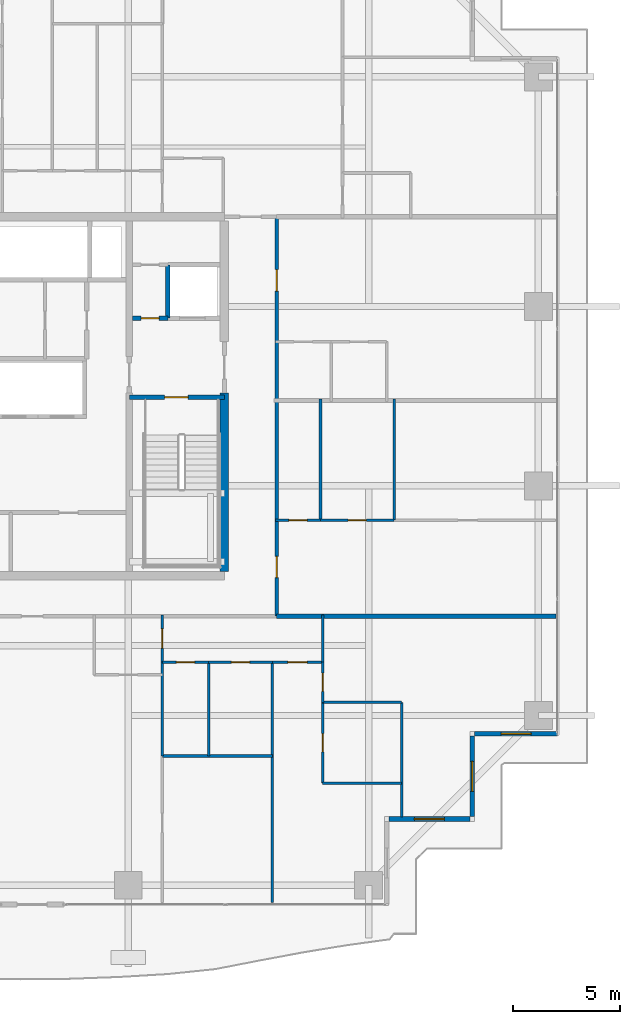
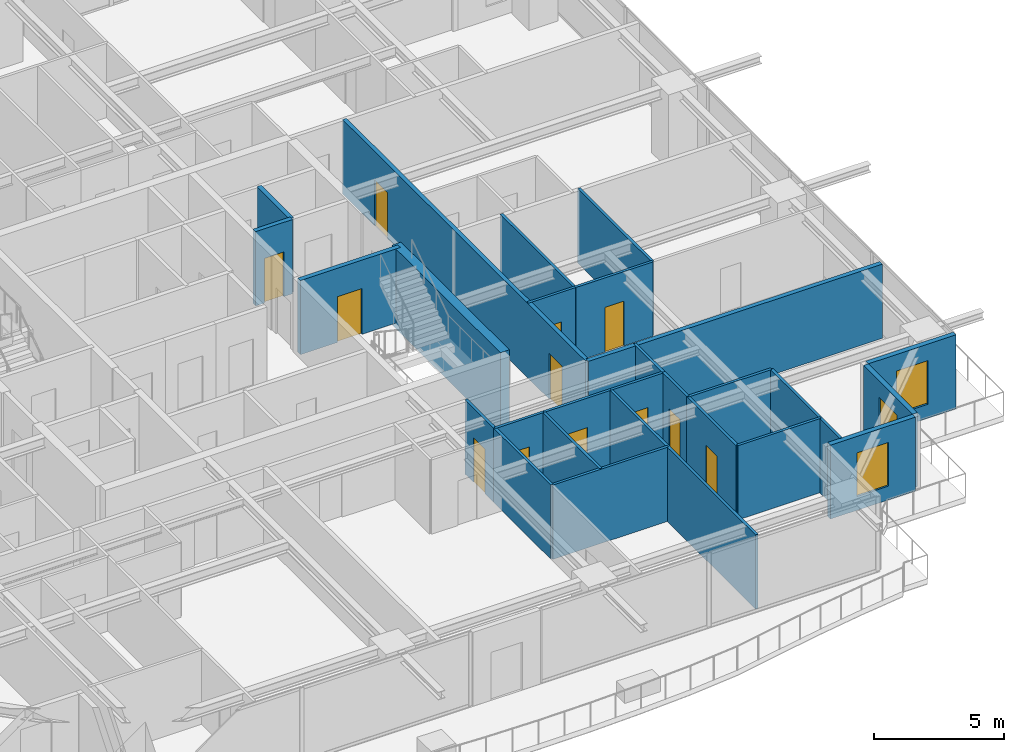
# One storey, part 26 of 34: 27 walls, 12 doors, 3 windows, 15 openings.
"""IFC4 building model written with IfcOpenShell, lengths in metres."""

from ifc_helpers import new_model, si_unit, direction, frame, frame_2d, origin, place, context, subcontext, project, spatial, rectangle, extrude, source, transform, mapped, material, layer, layer_set, type_object, element, fill, save


model = new_model("IFC4")

# Units and contexts
model_context = context("Model", 3, precision=1e-05, world=origin(), true_north=direction((0.0, 1.0)))
body_context = subcontext(model_context, "Body", "Model", "MODEL_VIEW")
ifc_project = project(units=[si_unit("LENGTHUNIT", "METRE"), si_unit("AREAUNIT", "SQUARE_METRE"), si_unit("VOLUMEUNIT", "CUBIC_METRE"), si_unit("PLANEANGLEUNIT", "RADIAN"), si_unit("MASSUNIT", "GRAM", prefix="KILO")], contexts=[model_context])

# Site, building, storey
site_placement = place(None, origin())
site = spatial("IfcSite", under=ifc_project, at=site_placement, CompositionType="ELEMENT")
building_placement = place(site_placement, origin())
building = spatial("IfcBuilding", under=site, at=building_placement, Name="Serunith Strait Residences", CompositionType="ELEMENT")
storey_placement = place(building_placement, frame((0.0, 0.0, 142.64990234375)))
storey = spatial("IfcBuildingStorey", under=building, at=storey_placement, Name="L35", CompositionType="ELEMENT", Elevation=142.64990234375)

# Wall, opening, window
ifc_material_1 = material(Name="Pale-Champagne Aluminium Insulated Panel", Category="aluminium")
ifc_layer_1 = layer(ifc_material_1, 0.219970703125, Name="Pale-Champagne Aluminium Insulated Panel")
ifc_layer_set_1 = layer_set([ifc_layer_1], Name="Pale-Champagne Aluminium Insulated Panel")
wall_type_1 = type_object("IfcWallType", Name="EW-ALUM-220", PredefinedType="ELEMENTEDWALL", material=ifc_layer_set_1)
wall_1_placement = place(storey_placement, frame((49.110107421875, 5.39990234375, 0.0), z_axis=(0.0, 0.0, 1.0), x_axis=(1.0, 0.0, 0.0)))
wall_1 = element("IfcWall", 1, at=wall_1_placement, inside=storey, type_object=wall_type_1, Name="L35 Girih Serrated Corner Wall 03", PredefinedType="ELEMENTEDWALL", context=body_context, shape_type="SweptSolid", body=[
    extrude(rectangle(XDim=3.77978515625, YDim=0.219970703125, at=frame_2d((1.889892578125, 0.0))), origin(), (0.0, 0.0, 1.0), 3.47509765625),
])
opening_1_placement = place(wall_1_placement, frame((1.18994140625, 0.0, 0.64990234375)))
opening_1 = element("IfcOpeningElement", 2, at=opening_1_placement, cuts=wall_1, Name="Opening W-03", PredefinedType="OPENING", context=body_context, shape_type="SweptSolid", body=[
    extrude(rectangle(XDim=1.39990234375, YDim=2.050048828125, at=frame_2d((0.699951171875, 1.02490234375))), frame((0.0, 0.1201171875, 0.0), z_axis=(0.0, -1.0, 0.0), x_axis=(1.0, 0.0, 0.0)), (0.0, 0.0, 1.0), 0.239990234375),
])
ifc_material_2 = material(Name="Ceramic-Fritted Operable Aluminium Window Glass", Category="aluminium")
window_type = type_object("IfcWindowType", Name="WIN-C3", PartitioningType="SINGLE_PANEL", PredefinedType="WINDOW", material=ifc_material_2)
shared_shape_1 = source(origin(), body_context, "Body", "SweptSolid", [
    extrude(rectangle(XDim=1.39990234375, YDim=2.050048828125, at=frame_2d((0.699951171875, 1.02490234375))), frame((0.0, 0.030029296875, 0.0), z_axis=(0.0, -1.0, 0.0), x_axis=(1.0, 0.0, 0.0)), (0.0, 0.0, 1.0), 0.06005859375),
])
window_1_placement = place(opening_1_placement, origin())
window_1 = element("IfcWindow", 3, at=window_1_placement, inside=storey, type_object=window_type, Name="L35 Corner Operable Fritted Window 03", OverallHeight=2.050048828125, OverallWidth=1.39990234375, PartitioningType="SINGLE_PANEL", PredefinedType="WINDOW", context=body_context, shape_type="MappedRepresentation", body=[
    mapped(shared_shape_1, transform((0.0, 0.0, 0.0), scale=1.0)),
])
fill(opening_1, window_1)

wall_2_placement = place(storey_placement, frame((53.0, 5.510009765625, 0.0), z_axis=(0.0, 0.0, 1.0), x_axis=(0.0, 1.0, 0.0)))
wall_2 = element("IfcWall", 4, at=wall_2_placement, inside=storey, type_object=wall_type_1, Name="L35 Girih Serrated Corner Wall 04", PredefinedType="ELEMENTEDWALL", context=body_context, shape_type="SweptSolid", body=[
    extrude(rectangle(XDim=3.780029296875, YDim=0.219970703125, at=frame_2d((1.89013671875, 0.0))), origin(), (0.0, 0.0, 1.0), 3.47509765625),
])
opening_2_placement = place(wall_2_placement, frame((1.18994140625, 0.0, 0.64990234375)))
opening_2 = element("IfcOpeningElement", 5, at=opening_2_placement, cuts=wall_2, Name="Opening W-03", PredefinedType="OPENING", context=body_context, shape_type="SweptSolid", body=[
    extrude(rectangle(XDim=1.39990234375, YDim=2.050048828125, at=frame_2d((0.699951171875, 1.02490234375))), frame((0.0, 0.1201171875, 0.0), z_axis=(0.0, -1.0, 0.0), x_axis=(1.0, 0.0, 0.0)), (0.0, 0.0, 1.0), 0.239990234375),
])
window_2_placement = place(opening_2_placement, origin())
window_2 = element("IfcWindow", 6, at=window_2_placement, inside=storey, type_object=window_type, Name="L35 Corner Operable Fritted Window 04", OverallHeight=2.050048828125, OverallWidth=1.39990234375, PartitioningType="SINGLE_PANEL", PredefinedType="WINDOW", context=body_context, shape_type="MappedRepresentation", body=[
    mapped(shared_shape_1, transform((0.0, 0.0, 0.0), scale=1.0)),
])
fill(opening_2, window_2)

wall_3_placement = place(storey_placement, frame((53.110107421875, 9.39990234375, 0.0), z_axis=(0.0, 0.0, 1.0), x_axis=(1.0, 0.0, 0.0)))
wall_3 = element("IfcWall", 7, at=wall_3_placement, inside=storey, type_object=wall_type_1, Name="L35 Girih Serrated Corner Wall 05", PredefinedType="ELEMENTEDWALL", context=body_context, shape_type="SweptSolid", body=[
    extrude(rectangle(XDim=3.889892578125, YDim=0.219970703125, at=frame_2d((1.94482421875, 0.0))), origin(), (0.0, 0.0, 1.0), 3.47509765625),
])
opening_3_placement = place(wall_3_placement, frame((1.2451171875, 0.0, 0.64990234375)))
opening_3 = element("IfcOpeningElement", 8, at=opening_3_placement, cuts=wall_3, Name="Opening W-03", PredefinedType="OPENING", context=body_context, shape_type="SweptSolid", body=[
    extrude(rectangle(XDim=1.39990234375, YDim=2.050048828125, at=frame_2d((0.699951171875, 1.02490234375))), frame((0.0, 0.1201171875, 0.0), z_axis=(0.0, -1.0, 0.0), x_axis=(1.0, 0.0, 0.0)), (0.0, 0.0, 1.0), 0.239990234375),
])
window_3_placement = place(opening_3_placement, origin())
window_3 = element("IfcWindow", 9, at=window_3_placement, inside=storey, type_object=window_type, Name="L35 Corner Operable Fritted Window 05", OverallHeight=2.050048828125, OverallWidth=1.39990234375, PartitioningType="SINGLE_PANEL", PredefinedType="WINDOW", context=body_context, shape_type="MappedRepresentation", body=[
    mapped(shared_shape_1, transform((0.0, 0.0, 0.0), scale=1.0)),
])
fill(opening_3, window_3)

# Wall, openings, doors
ifc_material_3 = material(Name="Fire-rated acoustic gypsum partition")
ifc_layer_2 = layer(ifc_material_3, 0.179931640625, Name="Fire-rated acoustic gypsum partition")
ifc_layer_set_2 = layer_set([ifc_layer_2], Name="Fire-rated acoustic gypsum partition")
wall_type_2 = type_object("IfcWallType", Name="IW-CORR-180", PredefinedType="PARTITIONING", material=ifc_layer_set_2)
wall_4_placement = place(storey_placement, frame((43.85009765625, 14.89990234375, 0.0), z_axis=(0.0, 0.0, 1.0), x_axis=(0.0, 1.0, 0.0)))
wall_4 = element("IfcWall", 10, at=wall_4_placement, inside=storey, type_object=wall_type_2, Name="L35 Partition Wall 027", PredefinedType="PARTITIONING", context=body_context, shape_type="SweptSolid", body=[
    extrude(rectangle(XDim=18.7001953125, YDim=0.179931640625, at=frame_2d((9.35009765625, 0.0))), origin(), (0.0, 0.0, 1.0), 3.489990234375),
])
opening_4_placement = place(wall_4_placement, frame((1.804931640625, 0.0, 0.0)))
opening_4 = element("IfcOpeningElement", 11, at=opening_4_placement, cuts=wall_4, Name="Opening D-APT1000", PredefinedType="OPENING", context=body_context, shape_type="SweptSolid", body=[
    extrude(rectangle(XDim=1.0, YDim=2.14990234375, at=frame_2d((0.5, 1.074951171875))), frame((0.0, 0.10009765625, 0.0), z_axis=(0.0, -1.0, 0.0), x_axis=(1.0, 0.0, 0.0)), (0.0, 0.0, 1.0), 0.199951171875),
])
opening_5_placement = place(wall_4_placement, frame((15.221923828125, 0.0, 0.0)))
opening_5 = element("IfcOpeningElement", 12, at=opening_5_placement, cuts=wall_4, Name="Opening D-APT1000", PredefinedType="OPENING", context=body_context, shape_type="SweptSolid", body=[
    extrude(rectangle(XDim=1.0, YDim=2.14990234375, at=frame_2d((0.5, 1.074951171875))), frame((0.0, 0.10009765625, 0.0), z_axis=(0.0, -1.0, 0.0), x_axis=(1.0, 0.0, 0.0)), (0.0, 0.0, 1.0), 0.199951171875),
])
ifc_material_4 = material(Name="Solid timber engineered fire door", Category="wood")
door_type_1 = type_object("IfcDoorType", Name="ID-APT-1000", OperationType="NOTDEFINED", PredefinedType="DOOR", material=ifc_material_4)
shared_shape_2 = source(origin(), body_context, "Body", "SweptSolid", [
    extrude(rectangle(XDim=1.0, YDim=2.14990234375, at=frame_2d((0.5, 1.074951171875))), frame((0.0, 0.02490234375, 0.0), z_axis=(0.0, -1.0, 0.0), x_axis=(1.0, 0.0, 0.0)), (0.0, 0.0, 1.0), 0.050048828125),
])
door_1_placement = place(opening_4_placement, origin())
door_1 = element("IfcDoor", 13, at=door_1_placement, inside=storey, type_object=door_type_1, Name="L35 Unit 06 Entrance Door", OperationType="SINGLE_SWING_RIGHT", OverallHeight=2.14990234375, OverallWidth=1.0, PredefinedType="DOOR", context=body_context, shape_type="MappedRepresentation", body=[
    mapped(shared_shape_2, transform((0.0, 0.0, 0.0), scale=1.0)),
])
fill(opening_4, door_1)
door_2_placement = place(opening_5_placement, origin())
door_2 = element("IfcDoor", 14, at=door_2_placement, inside=storey, type_object=door_type_1, Name="L35 Unit 07 Entrance Door", OperationType="SINGLE_SWING_LEFT", OverallHeight=2.14990234375, OverallWidth=1.0, PredefinedType="DOOR", context=body_context, shape_type="MappedRepresentation", body=[
    mapped(shared_shape_2, transform((0.0, 0.0, 0.0), scale=1.0)),
])
fill(opening_5, door_2)

# Wall, opening, door
ifc_material_5 = material(Name="Lightweight steel-stud gypsum partition", Category="steel")
ifc_layer_3 = layer(ifc_material_5, 0.1201171875, Name="Lightweight steel-stud gypsum partition")
ifc_layer_set_3 = layer_set([ifc_layer_3], Name="Lightweight steel-stud gypsum partition")
wall_type_3 = type_object("IfcWallType", Name="IW-PART-120", PredefinedType="PARTITIONING", material=ifc_layer_set_3)
wall_5_placement = place(storey_placement, frame((38.5, 12.75, 0.0), z_axis=(0.0, 0.0, 1.0), x_axis=(0.0, 1.0, 0.0)))
wall_5 = element("IfcWall", 15, at=wall_5_placement, inside=storey, type_object=wall_type_3, Name="L35 Partition Wall 048", PredefinedType="PARTITIONING", context=body_context, shape_type="SweptSolid", body=[
    extrude(rectangle(XDim=2.2099609375, YDim=0.1201171875, at=frame_2d((1.10498046875, 0.0))), origin(), (0.0, 0.0, 1.0), 3.489990234375),
])
opening_6_placement = place(wall_5_placement, frame((0.655029296875, 0.0, 0.0)))
opening_6 = element("IfcOpeningElement", 16, at=opening_6_placement, cuts=wall_5, Name="Opening D-RM900", PredefinedType="OPENING", context=body_context, shape_type="SweptSolid", body=[
    extrude(rectangle(XDim=0.89990234375, YDim=2.10009765625, at=frame_2d((0.449951171875, 1.050048828125))), frame((0.0, 0.070068359375, 0.0), z_axis=(0.0, -1.0, 0.0), x_axis=(1.0, 0.0, 0.0)), (0.0, 0.0, 1.0), 0.14013671875),
])
ifc_material_6 = material(Name="Engineered timber flush bedroom door", Category="wood")
door_type_2 = type_object("IfcDoorType", Name="ID-ROOM-900", OperationType="NOTDEFINED", PredefinedType="DOOR", material=ifc_material_6)
shared_shape_3 = source(origin(), body_context, "Body", "SweptSolid", [
    extrude(rectangle(XDim=0.89990234375, YDim=2.10009765625, at=frame_2d((0.449951171875, 1.050048828125))), frame((0.0, 0.02490234375, 0.0), z_axis=(0.0, -1.0, 0.0), x_axis=(1.0, 0.0, 0.0)), (0.0, 0.0, 1.0), 0.050048828125),
])
door_3_placement = place(opening_6_placement, origin())
door_3 = element("IfcDoor", 17, at=door_3_placement, inside=storey, type_object=door_type_2, Name="L35 Hall E 3502 Door", OperationType="SINGLE_SWING_RIGHT", OverallHeight=2.10009765625, OverallWidth=0.89990234375, PredefinedType="DOOR", context=body_context, shape_type="MappedRepresentation", body=[
    mapped(shared_shape_3, transform((0.0, 0.0, 0.0), scale=1.0)),
])
fill(opening_6, door_3)

# Walls
wall_6_placement = place(storey_placement, frame((38.5, 8.35498046875, 0.0), z_axis=(0.0, 0.0, 1.0), x_axis=(0.0, 1.0, 0.0)))
element("IfcWall", 18, at=wall_6_placement, inside=storey, type_object=wall_type_3, Name="L35 Partition Wall 050", PredefinedType="PARTITIONING", context=body_context, shape_type="SweptSolid", body=[
    extrude(rectangle(XDim=4.39306640625, YDim=0.1201171875, at=frame_2d((2.196533203125, 0.0))), origin(), (0.0, 0.0, 1.0), 3.489990234375),
])
wall_7_placement = place(storey_placement, frame((38.5, 8.35302734375, 0.0), z_axis=(0.0, 0.0, 1.0), x_axis=(1.0, 0.0, 0.0)))
element("IfcWall", 19, at=wall_7_placement, inside=storey, type_object=wall_type_3, Name="L35 Partition Wall 051", PredefinedType="PARTITIONING", context=body_context, shape_type="SweptSolid", body=[
    extrude(rectangle(XDim=5.14990234375, YDim=0.1201171875, at=frame_2d((2.574951171875, 0.0))), origin(), (0.0, 0.0, 1.0), 3.489990234375),
])
wall_8_placement = place(storey_placement, frame((43.64990234375, 1.4951171875, 0.0), z_axis=(0.0, 0.0, 1.0), x_axis=(0.0, 1.0, 0.0)))
element("IfcWall", 20, at=wall_8_placement, inside=storey, type_object=wall_type_3, Name="L35 Partition Wall 052", PredefinedType="PARTITIONING", context=body_context, shape_type="SweptSolid", body=[
    extrude(rectangle(XDim=11.2548828125, YDim=0.1201171875, at=frame_2d((5.62744140625, 0.0))), origin(), (0.0, 0.0, 1.0), 3.489990234375),
])
wall_9_placement = place(storey_placement, frame((40.6630859375, 8.35302734375, 0.0), z_axis=(0.0, 0.0, 1.0), x_axis=(0.0, 1.0, 0.0)))
element("IfcWall", 21, at=wall_9_placement, inside=storey, type_object=wall_type_3, Name="L35 Partition Wall 053", PredefinedType="PARTITIONING", context=body_context, shape_type="SweptSolid", body=[
    extrude(rectangle(XDim=4.39697265625, YDim=0.1201171875, at=frame_2d((2.198486328125, 0.0))), origin(), (0.0, 0.0, 1.0), 3.489990234375),
])

# Wall, opening, door
wall_10_placement = place(storey_placement, frame((38.5, 12.75, 0.0), z_axis=(0.0, 0.0, 1.0), x_axis=(1.0, 0.0, 0.0)))
wall_10 = element("IfcWall", 22, at=wall_10_placement, inside=storey, type_object=wall_type_3, Name="L35 Partition Wall 054", PredefinedType="PARTITIONING", context=body_context, shape_type="SweptSolid", body=[
    extrude(rectangle(XDim=2.1630859375, YDim=0.1201171875, at=frame_2d((1.08154296875, 0.0))), origin(), (0.0, 0.0, 1.0), 3.489990234375),
])
opening_7_placement = place(wall_10_placement, frame((0.656005859375, 0.0, 0.0)))
opening_7 = element("IfcOpeningElement", 23, at=opening_7_placement, cuts=wall_10, Name="Opening D-BTH850", PredefinedType="OPENING", context=body_context, shape_type="SweptSolid", body=[
    extrude(rectangle(XDim=0.85009765625, YDim=2.10009765625, at=frame_2d((0.425048828125, 1.050048828125))), frame((0.0, 0.070068359375, 0.0), z_axis=(0.0, -1.0, 0.0), x_axis=(1.0, 0.0, 0.0)), (0.0, 0.0, 1.0), 0.14013671875),
])
ifc_material_7 = material(Name="Moisture-resistant timber bathroom door", Category="wood")
door_type_3 = type_object("IfcDoorType", Name="ID-BATH-850", OperationType="NOTDEFINED", PredefinedType="DOOR", material=ifc_material_7)
shared_shape_4 = source(origin(), body_context, "Body", "SweptSolid", [
    extrude(rectangle(XDim=0.85009765625, YDim=2.10009765625, at=frame_2d((0.425048828125, 1.050048828125))), frame((0.0, 0.02490234375, 0.0), z_axis=(0.0, -1.0, 0.0), x_axis=(1.0, 0.0, 0.0)), (0.0, 0.0, 1.0), 0.050048828125),
])
door_4_placement = place(opening_7_placement, origin())
door_4 = element("IfcDoor", 24, at=door_4_placement, inside=storey, type_object=door_type_3, Name="L35 Bathroom 3502 Door", OperationType="SINGLE_SWING_RIGHT", OverallHeight=2.10009765625, OverallWidth=0.85009765625, PredefinedType="DOOR", context=body_context, shape_type="MappedRepresentation", body=[
    mapped(shared_shape_4, transform((0.0, 0.0, 0.0), scale=1.0)),
])
fill(opening_7, door_4)

wall_11_placement = place(storey_placement, frame((40.6650390625, 12.75, 0.0), z_axis=(0.0, 0.0, 1.0), x_axis=(1.0, 0.0, 0.0)))
wall_11 = element("IfcWall", 25, at=wall_11_placement, inside=storey, type_object=wall_type_3, Name="L35 Partition Wall 055", PredefinedType="PARTITIONING", context=body_context, shape_type="SweptSolid", body=[
    extrude(rectangle(XDim=2.98486328125, YDim=0.1201171875, at=frame_2d((1.492431640625, 0.0))), origin(), (0.0, 0.0, 1.0), 3.489990234375),
])
opening_8_placement = place(wall_11_placement, frame((1.06689453125, 0.0, 0.0)))
opening_8 = element("IfcOpeningElement", 26, at=opening_8_placement, cuts=wall_11, Name="Opening D-RM850", PredefinedType="OPENING", context=body_context, shape_type="SweptSolid", body=[
    extrude(rectangle(XDim=0.85009765625, YDim=2.10009765625, at=frame_2d((0.425048828125, 1.050048828125))), frame((0.0, 0.070068359375, 0.0), z_axis=(0.0, -1.0, 0.0), x_axis=(1.0, 0.0, 0.0)), (0.0, 0.0, 1.0), 0.14013671875),
])
ifc_material_8 = material(Name="Engineered timber flush study and kitchen door", Category="wood")
door_type_4 = type_object("IfcDoorType", Name="ID-ROOM-850", OperationType="NOTDEFINED", PredefinedType="DOOR", material=ifc_material_8)
door_5_placement = place(opening_8_placement, origin())
door_5 = element("IfcDoor", 27, at=door_5_placement, inside=storey, type_object=door_type_4, Name="L35 Formal Dining Room 3502 Door", OperationType="SINGLE_SWING_LEFT", OverallHeight=2.10009765625, OverallWidth=0.85009765625, PredefinedType="DOOR", context=body_context, shape_type="MappedRepresentation", body=[
    mapped(shared_shape_4, transform((0.0, 0.0, 0.0), scale=1.0)),
])
fill(opening_8, door_5)

wall_12_placement = place(storey_placement, frame((43.652099609375, 12.75, 0.0), z_axis=(0.0, 0.0, 1.0), x_axis=(1.0, 0.0, 0.0)))
wall_12 = element("IfcWall", 28, at=wall_12_placement, inside=storey, type_object=wall_type_3, Name="L35 Partition Wall 056", PredefinedType="PARTITIONING", context=body_context, shape_type="SweptSolid", body=[
    extrude(rectangle(XDim=2.347900390625, YDim=0.1201171875, at=frame_2d((1.173828125, 0.0))), origin(), (0.0, 0.0, 1.0), 3.489990234375),
])
opening_9_placement = place(wall_12_placement, frame((0.72412109375, 0.0, 0.0)))
opening_9 = element("IfcOpeningElement", 29, at=opening_9_placement, cuts=wall_12, Name="Opening D-RM900", PredefinedType="OPENING", context=body_context, shape_type="SweptSolid", body=[
    extrude(rectangle(XDim=0.89990234375, YDim=2.10009765625, at=frame_2d((0.449951171875, 1.050048828125))), frame((0.0, 0.070068359375, 0.0), z_axis=(0.0, -1.0, 0.0), x_axis=(1.0, 0.0, 0.0)), (0.0, 0.0, 1.0), 0.14013671875),
])
door_6_placement = place(opening_9_placement, origin())
door_6 = element("IfcDoor", 30, at=door_6_placement, inside=storey, type_object=door_type_2, Name="L35 Master Bedroom E 3502 Door", OperationType="SINGLE_SWING_RIGHT", OverallHeight=2.10009765625, OverallWidth=0.89990234375, PredefinedType="DOOR", context=body_context, shape_type="MappedRepresentation", body=[
    mapped(shared_shape_3, transform((0.0, 0.0, 0.0), scale=1.0)),
])
fill(opening_9, door_6)

# Walls
wall_13_placement = place(storey_placement, frame((46.0, 7.0810546875, 0.0), z_axis=(0.0, 0.0, 1.0), x_axis=(1.0, 0.0, 0.0)))
element("IfcWall", 31, at=wall_13_placement, inside=storey, type_object=wall_type_3, Name="L35 Partition Wall 057", PredefinedType="PARTITIONING", context=body_context, shape_type="SweptSolid", body=[
    extrude(rectangle(XDim=3.699951171875, YDim=0.1201171875, at=frame_2d((1.85009765625, 0.0))), origin(), (0.0, 0.0, 1.0), 3.489990234375),
])
wall_14_placement = place(storey_placement, frame((49.699951171875, 5.4951171875, 0.0), z_axis=(0.0, 0.0, 1.0), x_axis=(0.0, 1.0, 0.0)))
element("IfcWall", 32, at=wall_14_placement, inside=storey, type_object=wall_type_3, Name="L35 Partition Wall 058", PredefinedType="PARTITIONING", context=body_context, shape_type="SweptSolid", body=[
    extrude(rectangle(XDim=5.369873046875, YDim=0.1201171875, at=frame_2d((2.68505859375, 0.0))), origin(), (0.0, 0.0, 1.0), 3.489990234375),
])
wall_15_placement = place(storey_placement, frame((46.0, 10.864990234375, 0.0), z_axis=(0.0, 0.0, 1.0), x_axis=(1.0, 0.0, 0.0)))
element("IfcWall", 33, at=wall_15_placement, inside=storey, type_object=wall_type_3, Name="L35 Partition Wall 059", PredefinedType="PARTITIONING", context=body_context, shape_type="SweptSolid", body=[
    extrude(rectangle(XDim=3.699951171875, YDim=0.1201171875, at=frame_2d((1.85009765625, 0.0))), origin(), (0.0, 0.0, 1.0), 3.489990234375),
])

# Wall, opening, door
wall_16_placement = place(storey_placement, frame((46.0, 7.0810546875, 0.0), z_axis=(0.0, 0.0, 1.0), x_axis=(0.0, 1.0, 0.0)))
wall_16 = element("IfcWall", 34, at=wall_16_placement, inside=storey, type_object=wall_type_3, Name="L35 Partition Wall 060", PredefinedType="PARTITIONING", context=body_context, shape_type="SweptSolid", body=[
    extrude(rectangle(XDim=3.783935546875, YDim=0.1201171875, at=frame_2d((1.89208984375, 0.0))), origin(), (0.0, 0.0, 1.0), 3.489990234375),
])
opening_10_placement = place(wall_16_placement, frame((1.467041015625, 0.0, 0.0)))
opening_10 = element("IfcOpeningElement", 35, at=opening_10_placement, cuts=wall_16, Name="Opening D-BTH850", PredefinedType="OPENING", context=body_context, shape_type="SweptSolid", body=[
    extrude(rectangle(XDim=0.85009765625, YDim=2.10009765625, at=frame_2d((0.425048828125, 1.050048828125))), frame((0.0, 0.070068359375, 0.0), z_axis=(0.0, -1.0, 0.0), x_axis=(1.0, 0.0, 0.0)), (0.0, 0.0, 1.0), 0.14013671875),
])
door_7_placement = place(opening_10_placement, origin())
door_7 = element("IfcDoor", 36, at=door_7_placement, inside=storey, type_object=door_type_3, Name="L35 En-suite Bathroom E 3502 Door", OperationType="SINGLE_SWING_LEFT", OverallHeight=2.10009765625, OverallWidth=0.85009765625, PredefinedType="DOOR", context=body_context, shape_type="MappedRepresentation", body=[
    mapped(shared_shape_4, transform((0.0, 0.0, 0.0), scale=1.0)),
])
fill(opening_10, door_7)

wall_17_placement = place(storey_placement, frame((46.0, 10.866943359375, 0.0), z_axis=(0.0, 0.0, 1.0), x_axis=(0.0, 1.0, 0.0)))
wall_17 = element("IfcWall", 37, at=wall_17_placement, inside=storey, type_object=wall_type_3, Name="L35 Partition Wall 061", PredefinedType="PARTITIONING", context=body_context, shape_type="SweptSolid", body=[
    extrude(rectangle(XDim=1.883056640625, YDim=0.1201171875, at=frame_2d((0.94140625, 0.0))), origin(), (0.0, 0.0, 1.0), 3.489990234375),
])
opening_11_placement = place(wall_17_placement, frame((0.51611328125, 0.0, 0.0)))
opening_11 = element("IfcOpeningElement", 38, at=opening_11_placement, cuts=wall_17, Name="Opening D-RM850", PredefinedType="OPENING", context=body_context, shape_type="SweptSolid", body=[
    extrude(rectangle(XDim=0.85009765625, YDim=2.10009765625, at=frame_2d((0.425048828125, 1.050048828125))), frame((0.0, 0.070068359375, 0.0), z_axis=(0.0, -1.0, 0.0), x_axis=(1.0, 0.0, 0.0)), (0.0, 0.0, 1.0), 0.14013671875),
])
door_8_placement = place(opening_11_placement, origin())
door_8 = element("IfcDoor", 39, at=door_8_placement, inside=storey, type_object=door_type_4, Name="L35 Wardrobe E 3502 Door", OperationType="SINGLE_SWING_RIGHT", OverallHeight=2.10009765625, OverallWidth=0.85009765625, PredefinedType="DOOR", context=body_context, shape_type="MappedRepresentation", body=[
    mapped(shared_shape_4, transform((0.0, 0.0, 0.0), scale=1.0)),
])
fill(opening_11, door_8)

# Walls
wall_18_placement = place(storey_placement, frame((46.0, 12.751953125, 0.0), z_axis=(0.0, 0.0, 1.0), x_axis=(0.0, 1.0, 0.0)))
element("IfcWall", 40, at=wall_18_placement, inside=storey, type_object=wall_type_3, Name="L35 Partition Wall 062", PredefinedType="PARTITIONING", context=body_context, shape_type="SweptSolid", body=[
    extrude(rectangle(XDim=2.2080078125, YDim=0.1201171875, at=frame_2d((1.10400390625, 0.0))), origin(), (0.0, 0.0, 1.0), 3.489990234375),
])
for number, where, z_axis, x_axis, name in (
    (41, (49.345947265625, 19.39990234375, 0.0), (0.0, 0.0, 1.0), (0.0, 1.0, 0.0), "L35 Partition Wall 096"),
    (42, (45.89990234375, 19.39990234375, 0.0), (0.0, 0.0, 1.0), (0.0, 1.0, 0.0), "L35 Partition Wall 097"),
):
    element("IfcWall", number, at=place(storey_placement, frame(where, z_axis=z_axis, x_axis=x_axis)), inside=storey, type_object=wall_type_3, Name=name, PredefinedType="PARTITIONING", context=body_context, shape_type="SweptSolid", body=[
        extrude(rectangle(XDim=5.66015625, YDim=0.1201171875, at=frame_2d((2.830078125, 0.0))), origin(), (0.0, 0.0, 1.0), 3.489990234375),
    ])

# Wall, opening, door
wall_19_placement = place(storey_placement, frame((49.343994140625, 19.39990234375, 0.0), z_axis=(0.0, 0.0, 1.0), x_axis=(-1.0, 0.0, 0.0)))
wall_19 = element("IfcWall", 43, at=wall_19_placement, inside=storey, type_object=wall_type_3, Name="L35 Partition Wall 098", PredefinedType="PARTITIONING", context=body_context, shape_type="SweptSolid", body=[
    extrude(rectangle(XDim=3.444091796875, YDim=0.1201171875, at=frame_2d((1.72216796875, 0.0))), origin(), (0.0, 0.0, 1.0), 3.489990234375),
])
opening_12_placement = place(wall_19_placement, frame((1.297119140625, 0.0, 0.0)))
opening_12 = element("IfcOpeningElement", 44, at=opening_12_placement, cuts=wall_19, Name="Opening D-RM850", PredefinedType="OPENING", context=body_context, shape_type="SweptSolid", body=[
    extrude(rectangle(XDim=0.85009765625, YDim=2.10009765625, at=frame_2d((0.425048828125, 1.050048828125))), frame((0.0, 0.070068359375, 0.0), z_axis=(0.0, -1.0, 0.0), x_axis=(1.0, 0.0, 0.0)), (0.0, 0.0, 1.0), 0.14013671875),
])
door_9_placement = place(opening_12_placement, origin())
door_9 = element("IfcDoor", 45, at=door_9_placement, inside=storey, type_object=door_type_4, Name="L35 Kitchen 3506 Door", OperationType="SINGLE_SWING_RIGHT", OverallHeight=2.10009765625, OverallWidth=0.85009765625, PredefinedType="DOOR", context=body_context, shape_type="MappedRepresentation", body=[
    mapped(shared_shape_4, transform((0.0, 0.0, 0.0), scale=1.0)),
])
fill(opening_12, door_9)

wall_20_placement = place(storey_placement, frame((45.89794921875, 19.39990234375, 0.0), z_axis=(0.0, 0.0, 1.0), x_axis=(-1.0, 0.0, 0.0)))
wall_20 = element("IfcWall", 46, at=wall_20_placement, inside=storey, type_object=wall_type_3, Name="L35 Partition Wall 099", PredefinedType="PARTITIONING", context=body_context, shape_type="SweptSolid", body=[
    extrude(rectangle(XDim=2.10791015625, YDim=0.1201171875, at=frame_2d((1.053955078125, 0.0))), origin(), (0.0, 0.0, 1.0), 3.489990234375),
])
opening_13_placement = place(wall_20_placement, frame((0.62890625, 0.0, 0.0)))
opening_13 = element("IfcOpeningElement", 47, at=opening_13_placement, cuts=wall_20, Name="Opening D-BTH850", PredefinedType="OPENING", context=body_context, shape_type="SweptSolid", body=[
    extrude(rectangle(XDim=0.85009765625, YDim=2.10009765625, at=frame_2d((0.425048828125, 1.050048828125))), frame((0.0, 0.070068359375, 0.0), z_axis=(0.0, -1.0, 0.0), x_axis=(1.0, 0.0, 0.0)), (0.0, 0.0, 1.0), 0.14013671875),
])
door_10_placement = place(opening_13_placement, origin())
door_10 = element("IfcDoor", 48, at=door_10_placement, inside=storey, type_object=door_type_3, Name="L35 Bathroom 3506 Door", OperationType="SINGLE_SWING_LEFT", OverallHeight=2.10009765625, OverallWidth=0.85009765625, PredefinedType="DOOR", context=body_context, shape_type="MappedRepresentation", body=[
    mapped(shared_shape_4, transform((0.0, 0.0, 0.0), scale=1.0)),
])
fill(opening_13, door_10)

# Wall
ifc_material_9 = material(Name="Twin-stud acoustic gypsum board partition")
ifc_layer_4 = layer(ifc_material_9, 0.199951171875, Name="Twin-stud acoustic gypsum board partition")
ifc_layer_set_4 = layer_set([ifc_layer_4], Name="Twin-stud acoustic gypsum board partition")
wall_type_4 = type_object("IfcWallType", Name="IW-PARTY-200", PredefinedType="PARTITIONING", material=ifc_layer_set_4)
wall_21_placement = place(storey_placement, frame((43.85009765625, 14.89990234375, 0.0), z_axis=(0.0, 0.0, 1.0), x_axis=(1.0, 0.0, 0.0)))
element("IfcWall", 49, at=wall_21_placement, inside=storey, type_object=wall_type_4, Name="L35 Partition Wall 022", PredefinedType="PARTITIONING", context=body_context, shape_type="SweptSolid", body=[
    extrude(rectangle(XDim=13.06787109375, YDim=0.199951171875, at=frame_2d((6.533935546875, 0.0))), origin(), (0.0, 0.0, 1.0), 3.489990234375),
])

# Wall, opening, door
ifc_material_10 = material(Name="Autoclaved aerated concrete blockwork", Category="masonry")
ifc_layer_5 = layer(ifc_material_10, 0.199951171875, Name="Autoclaved aerated concrete blockwork")
ifc_layer_set_5 = layer_set([ifc_layer_5], Name="Autoclaved aerated concrete blockwork")
wall_type_5 = type_object("IfcWallType", Name="IW-SHAFT-200", PredefinedType="STANDARD", material=ifc_layer_set_5)
wall_22_placement = place(storey_placement, frame((36.949951171875, 25.14990234375, 0.0), z_axis=(0.0, 0.0, 1.0), x_axis=(1.0, 0.0, 0.0)))
wall_22 = element("IfcWall", 50, at=wall_22_placement, inside=storey, type_object=wall_type_5, Name="L35 ST-2 North Shaft Wall", PredefinedType="STANDARD", context=body_context, shape_type="SweptSolid", body=[
    extrude(rectangle(XDim=4.449951171875, YDim=0.199951171875, at=frame_2d((2.22509765625, 0.0))), origin(), (0.0, 0.0, 1.0), 3.489990234375),
])
opening_14_placement = place(wall_22_placement, frame((1.64990234375, 0.0, 0.0)))
opening_14 = element("IfcOpeningElement", 51, at=opening_14_placement, cuts=wall_22, Name="Opening FD-1100", PredefinedType="OPENING", context=body_context, shape_type="SweptSolid", body=[
    extrude(rectangle(XDim=1.10009765625, YDim=2.14990234375, at=frame_2d((0.550048828125, 1.074951171875))), frame((0.0, 0.10986328125, 0.0), z_axis=(0.0, -1.0, 0.0), x_axis=(1.0, 0.0, 0.0)), (0.0, 0.0, 1.0), 0.219970703125),
])
ifc_material_11 = material(Name="Galvanised steel fire door leaf", Category="steel")
door_type_5 = type_object("IfcDoorType", Name="FD-STAIR-1100", OperationType="NOTDEFINED", PredefinedType="DOOR", material=ifc_material_11)
shared_shape_5 = source(origin(), body_context, "Body", "SweptSolid", [
    extrude(rectangle(XDim=1.10009765625, YDim=2.14990234375, at=frame_2d((0.550048828125, 1.074951171875))), frame((0.0, 0.02490234375, 0.0), z_axis=(0.0, -1.0, 0.0), x_axis=(1.0, 0.0, 0.0)), (0.0, 0.0, 1.0), 0.050048828125),
])
door_11_placement = place(opening_14_placement, origin())
door_11 = element("IfcDoor", 52, at=door_11_placement, inside=storey, type_object=door_type_5, Name="L35 ST-2 Escape Stair Door", OperationType="SINGLE_SWING_RIGHT", OverallHeight=2.14990234375, OverallWidth=1.10009765625, PredefinedType="DOOR", context=body_context, shape_type="MappedRepresentation", body=[
    mapped(shared_shape_5, transform((0.0, 0.0, 0.0), scale=1.0)),
])
fill(opening_14, door_11)

# Wall
wall_23_placement = place(storey_placement, frame((38.75, 28.85009765625, 0.0), z_axis=(0.0, 0.0, 1.0), x_axis=(0.0, 1.0, 0.0)))
element("IfcWall", 53, at=wall_23_placement, inside=storey, type_object=wall_type_5, Name="L35 Partition Wall 004", PredefinedType="STANDARD", context=body_context, shape_type="SweptSolid", body=[
    extrude(rectangle(XDim=2.5, YDim=0.199951171875, at=frame_2d((1.25, 0.0))), origin(), (0.0, 0.0, 1.0), 3.489990234375),
])

# Wall, opening, door
wall_24_placement = place(storey_placement, frame((37.10009765625, 28.85009765625, 0.0), z_axis=(0.0, 0.0, 1.0), x_axis=(1.0, 0.0, 0.0)))
wall_24 = element("IfcWall", 54, at=wall_24_placement, inside=storey, type_object=wall_type_5, Name="L35 Partition Wall 006", PredefinedType="STANDARD", context=body_context, shape_type="SweptSolid", body=[
    extrude(rectangle(XDim=1.64794921875, YDim=0.199951171875, at=frame_2d((0.823974609375, 0.0))), origin(), (0.0, 0.0, 1.0), 3.489990234375),
])
opening_15_placement = place(wall_24_placement, frame((0.39892578125, 0.0, 0.0)))
opening_15 = element("IfcOpeningElement", 55, at=opening_15_placement, cuts=wall_24, Name="Opening FD-850", PredefinedType="OPENING", context=body_context, shape_type="SweptSolid", body=[
    extrude(rectangle(XDim=0.85009765625, YDim=2.10009765625, at=frame_2d((0.425048828125, 1.050048828125))), frame((0.0, 0.10986328125, 0.0), z_axis=(0.0, -1.0, 0.0), x_axis=(1.0, 0.0, 0.0)), (0.0, 0.0, 1.0), 0.219970703125),
])
ifc_material_12 = material(Name="Powder-coated steel service closet door", Category="steel")
door_type_6 = type_object("IfcDoorType", Name="FD-BOH-850", OperationType="NOTDEFINED", PredefinedType="DOOR", material=ifc_material_12)
door_12_placement = place(opening_15_placement, origin())
door_12 = element("IfcDoor", 56, at=door_12_placement, inside=storey, type_object=door_type_6, Name="L35 North-East Core Service Door", OperationType="SINGLE_SWING_RIGHT", OverallHeight=2.10009765625, OverallWidth=0.85009765625, PredefinedType="DOOR", context=body_context, shape_type="MappedRepresentation", body=[
    mapped(shared_shape_4, transform((0.0, 0.0, 0.0), scale=1.0)),
])
fill(opening_15, door_12)

# Wall
ifc_material_13 = material(Name="Concrete C70/85", Category="concrete")
ifc_layer_6 = layer(ifc_material_13, 0.39990234375, Name="Concrete C70/85")
ifc_layer_set_6 = layer_set([ifc_layer_6], Name="Concrete C70/85")
wall_type_6 = type_object("IfcWallType", Name="SW-400-C70", PredefinedType="SHEAR", material=ifc_layer_set_6)
wall_25_placement = place(storey_placement, frame((41.39990234375, 17.0, -0.260009765625), z_axis=(0.0, 0.0, 1.0), x_axis=(0.0, 1.0, 0.0)))
element("IfcWall", 57, at=wall_25_placement, inside=storey, type_object=wall_type_6, Name="L35 Core East Shear Wall South Pier", PredefinedType="SHEAR", context=body_context, shape_type="SweptSolid", body=[
    extrude(rectangle(XDim=8.35009765625, YDim=0.39990234375, at=frame_2d((4.175048828125, 0.0))), origin(), (0.0, 0.0, 1.0), 3.748046875),
])

save(model, "model.ifc")
